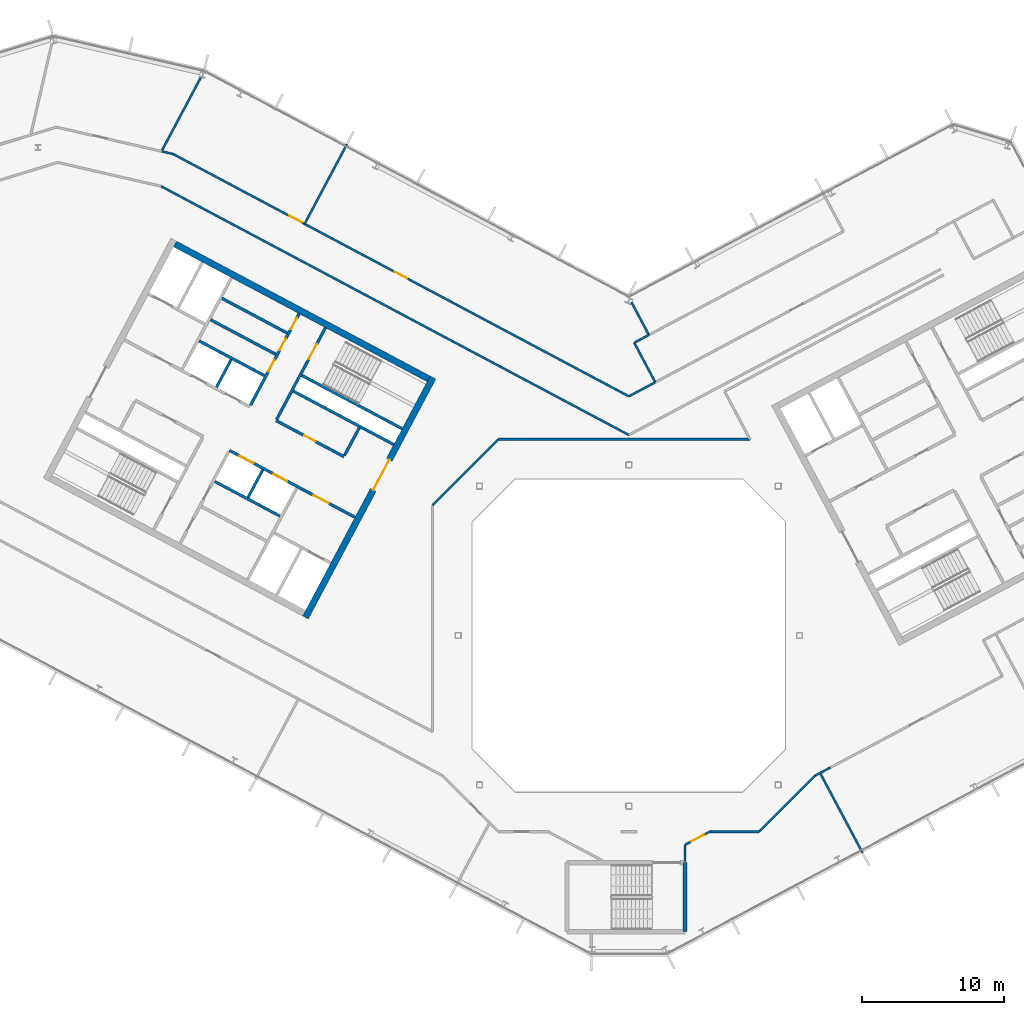
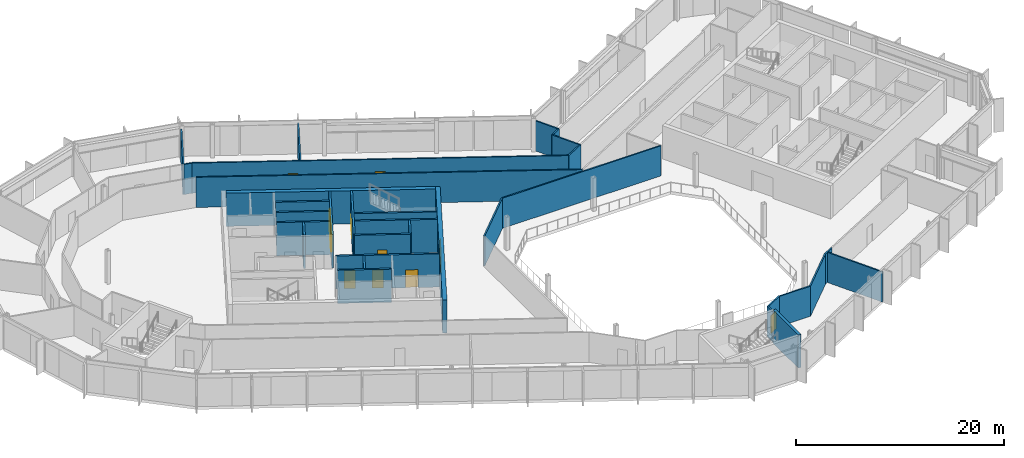
# One storey, part 15 of 26: 33 walls, 12 doors, 12 openings.
"""IFC4 building model written with IfcOpenShell, lengths in metres."""

import ifcopenshell
import ifcopenshell.guid

model = None  # the IFC model being written
_history = None  # IfcOwnerHistory: only IFC2X3 demands one
_inside = {}  # id of a spatial element -> (the spatial element, [elements in it])
_under = {}  # id of a project, library or spatial element -> (it, [spatial elements below it])
_declared = {}  # id of a project -> (the project, [libraries it declares])
_typed = {}  # id of a type object -> (the type object, [elements of that type])
_made_of = {}  # id of a material, layer set ... -> (it, [elements and type objects made of it])


def new_model(schema):
    """Start an empty IFC model of exactly this schema.

    Asked for "IFC4X3", IfcOpenShell would pick the latest addendum, in which some entities
    have other attributes; the version numbers below select the first issue.
    IFC2X3 requires an IfcOwnerHistory on every rooted entity: one is made here for all.
    """
    global model, _history
    if schema == "IFC4X3":
        model = ifcopenshell.file(schema_version=(4, 3, 0, 0))
    else:
        model = ifcopenshell.file(schema=schema)
    _inside.clear()
    _under.clear()
    _declared.clear()
    _typed.clear()
    _made_of.clear()
    _history = None
    if model.schema == "IFC2X3":
        org = make("IfcOrganization", Name="unknown")
        user = make(
            "IfcPersonAndOrganization",
            ThePerson=make("IfcPerson", FamilyName="unknown"),
            TheOrganization=org,
        )
        app = make(
            "IfcApplication",
            ApplicationDeveloper=org,
            Version="unknown",
            ApplicationFullName="unknown",
            ApplicationIdentifier="unknown",
        )
        _history = make(
            "IfcOwnerHistory",
            OwningUser=user,
            OwningApplication=app,
            ChangeAction="ADDED",
            CreationDate=0,
        )
    return model


def make(cls, **values):
    """One entity of the class cls with the attributes given. An attribute that is None is left unset."""
    return model.create_entity(
        cls, **{name: value for name, value in values.items() if value is not None}
    )


def rooted(cls, **values):
    """An entity with a GlobalId (a new one), such as an element, a storey or a relation."""
    return make(cls, GlobalId=ifcopenshell.guid.new(), OwnerHistory=_history, **values)


def si_unit(unit_type, name, prefix=None):
    """IfcSIUnit, for example si_unit("LENGTHUNIT", "METRE", prefix="MILLI")."""
    return make("IfcSIUnit", UnitType=unit_type, Prefix=prefix, Name=name)


def assignment(units):
    """IfcUnitAssignment: the units of a project."""
    return None if units is None else make("IfcUnitAssignment", Units=units)


def point(xyz):
    """IfcCartesianPoint."""
    return None if xyz is None else make("IfcCartesianPoint", Coordinates=xyz)


def direction(xyz):
    """IfcDirection."""
    return None if xyz is None else make("IfcDirection", DirectionRatios=xyz)


def frame(location, z_axis=None, x_axis=None):
    """IfcAxis2Placement3D, a coordinate frame: its origin and axes. An axis left out is left unset."""
    return make(
        "IfcAxis2Placement3D",
        Location=point(location),
        Axis=direction(z_axis),
        RefDirection=direction(x_axis),
    )


def frame_2d(location, x_axis=None):
    """IfcAxis2Placement2D, a coordinate frame in the plane: its origin and x axis."""
    return make(
        "IfcAxis2Placement2D", Location=point(location), RefDirection=direction(x_axis)
    )


def origin():
    """The frame at (0, 0, 0) with its axes left unset."""
    return frame((0.0, 0.0, 0.0))


def place(relative_to, where):
    """IfcLocalPlacement: puts the frame where relative to a parent placement (None: the world)."""
    return make(
        "IfcLocalPlacement", PlacementRelTo=relative_to, RelativePlacement=where
    )


def context(
    kind, dimensions, precision=None, world=None, true_north=None, identifier=None
):
    """IfcGeometricRepresentationContext, for example the 3D "Model" context."""
    return make(
        "IfcGeometricRepresentationContext",
        ContextIdentifier=identifier,
        ContextType=kind,
        CoordinateSpaceDimension=dimensions,
        Precision=precision,
        WorldCoordinateSystem=world,
        TrueNorth=true_north,
    )


def subcontext(parent, identifier, kind, view, scale=None):
    """IfcGeometricRepresentationSubContext, for example "Body" below "Model"."""
    return make(
        "IfcGeometricRepresentationSubContext",
        ContextIdentifier=identifier,
        ContextType=kind,
        ParentContext=parent,
        TargetScale=scale,
        TargetView=view,
    )


def project(units=None, contexts=None):
    """IfcProject with its units and contexts."""
    return rooted(
        "IfcProject",
        Name="project",
        RepresentationContexts=contexts,
        UnitsInContext=assignment(units),
    )


def spatial(cls, under=None, at=None, **own):
    """A site, building, storey or space (cls), placed at a placement, below another one or the project."""
    s = rooted(cls, ObjectPlacement=at, **own)
    if under is not None:
        _under.setdefault(under.id(), (under, []))[1].append(s)
    return s


def profile(cls, at=None, kind="AREA", **sizes):
    """A parametric profile (cls). Its sizes go by their IFC names, for example OverallWidth=200.0."""
    return make(cls, ProfileType=kind, Position=at, **sizes)


def rectangle(**sizes):
    """IfcRectangleProfileDef."""
    return profile("IfcRectangleProfileDef", **sizes)


def extrude(swept, where, along, depth):
    """IfcExtrudedAreaSolid: the profile swept, set in the frame where, extruded along a direction by depth."""
    return make(
        "IfcExtrudedAreaSolid",
        SweptArea=swept,
        Position=where,
        ExtrudedDirection=direction(along),
        Depth=depth,
    )


def shape(context_of_items, identifier, shape_type, items):
    """IfcShapeRepresentation: the items that make up one representation, for example the "Body"."""
    return make(
        "IfcShapeRepresentation",
        ContextOfItems=context_of_items,
        RepresentationIdentifier=identifier,
        RepresentationType=shape_type,
        Items=items,
    )


def material(Name=None, Category=None):
    """IfcMaterial."""
    return make("IfcMaterial", Name=Name, Category=Category)


def layer(
    of_material, thickness, ventilated=None, Name=None, Category=None, Priority=None
):
    """IfcMaterialLayer: one layer of a wall or slab, of a material (None: an air gap)."""
    return make(
        "IfcMaterialLayer",
        Material=of_material,
        LayerThickness=thickness,
        IsVentilated=ventilated,
        Name=Name,
        Category=Category,
        Priority=Priority,
    )


def layer_set(layers, Name=None):
    """IfcMaterialLayerSet."""
    return make("IfcMaterialLayerSet", MaterialLayers=layers, LayerSetName=Name)


def made_of(thing, what):
    """Note that an element or type object is made of a material, layer set ...; save() writes the relation."""
    if what is not None:
        _made_of.setdefault(what.id(), (what, []))[1].append(thing)
    return thing


def type_object(cls, material=None, **own):
    """A type object (cls), such as IfcWallType, which elements share."""
    return made_of(rooted(cls, **own), material)


def element(
    cls,
    number,
    at=None,
    inside=None,
    cuts=None,
    type_object=None,
    material=None,
    context=None,
    identifier="Body",
    shape_type=None,
    held_by="IfcProductDefinitionShape",
    body=None,
    shapes=None,
    **own,
):
    """One element of the class cls, such as IfcWall. Its Tag is "e" and its number.

    at: its placement. inside: the storey or other place that contains it. cuts: it is an
    opening in that element (IfcRelVoidsElement). A single representation is given by context,
    identifier, shape_type and body (its items); several are given by shapes. held_by: the class
    of the entity that holds the representations. save() writes the other relations.
    """
    e = rooted(cls, Tag="e%d" % number, ObjectPlacement=at, **own)
    if body is not None:
        shapes = [shape(context, identifier, shape_type, body)]
    if shapes is not None:
        e.Representation = make(held_by, Representations=shapes)
    if inside is not None:
        _inside.setdefault(inside.id(), (inside, []))[1].append(e)
    if cuts is not None:
        rooted(
            "IfcRelVoidsElement", RelatingBuildingElement=cuts, RelatedOpeningElement=e
        )
    if type_object is not None:
        _typed.setdefault(type_object.id(), (type_object, []))[1].append(e)
    return made_of(e, material)


def fill(opening, filler):
    """IfcRelFillsElement: the door or window that sits in an opening."""
    return rooted(
        "IfcRelFillsElement",
        RelatingOpeningElement=opening,
        RelatedBuildingElement=filler,
    )


def aggregate(whole, parts):
    """IfcRelAggregates: a whole, such as a stair, and the parts it consists of."""
    return rooted("IfcRelAggregates", RelatingObject=whole, RelatedObjects=parts)


def save(model, path):
    """Write the relations noted so far, then the file.

    IfcRelAggregates (storeys below a building ...), IfcRelContainedInSpatialStructure (elements
    in a storey), IfcRelDefinesByType, IfcRelAssociatesMaterial and IfcRelDeclares: one each for
    every whole, place, type object, material and project.
    """
    for whole, parts in _under.values():
        aggregate(whole, parts)
    for where, things in _inside.values():
        rooted(
            "IfcRelContainedInSpatialStructure",
            RelatedElements=things,
            RelatingStructure=where,
        )
    for kind, things in _typed.values():
        rooted("IfcRelDefinesByType", RelatedObjects=things, RelatingType=kind)
    for what, things in _made_of.values():
        rooted("IfcRelAssociatesMaterial", RelatedObjects=things, RelatingMaterial=what)
    for by, libraries in _declared.values():
        rooted("IfcRelDeclares", RelatingContext=by, RelatedDefinitions=libraries)
    model.write(path)


model = new_model("IFC4")

# Units and contexts
model_context = context("Model", 3, precision=1e-05, world=origin(), true_north=direction((0.0, 1.0)))
body_context = subcontext(model_context, "Body", "Model", "MODEL_VIEW")
ifc_project = project(units=[si_unit("LENGTHUNIT", "METRE"), si_unit("AREAUNIT", "SQUARE_METRE"), si_unit("VOLUMEUNIT", "CUBIC_METRE"), si_unit("PLANEANGLEUNIT", "RADIAN"), si_unit("MASSUNIT", "GRAM", prefix="KILO")], contexts=[model_context])

# Site, building, storey
site_placement = place(None, origin())
site = spatial("IfcSite", under=ifc_project, at=site_placement, CompositionType="ELEMENT")
building_placement = place(site_placement, origin())
building = spatial("IfcBuilding", under=site, at=building_placement, Name="Cormorant Relay Tower", CompositionType="ELEMENT")
storey_placement = place(building_placement, frame((0.0, 0.0, 293.10009765625)))
storey = spatial("IfcBuildingStorey", under=building, at=storey_placement, Name="L66", CompositionType="ELEMENT", Elevation=293.10009765625)

# Walls
ifc_material_1 = material(Name="Concrete 40 MPa", Category="concrete")
ifc_layer_1 = layer(ifc_material_1, 0.199951171875)
ifc_layer_set_1 = layer_set([ifc_layer_1], Name="Core internal wall 200")
wall_type_1 = type_object("IfcWallType", Name="Core internal wall 200", PredefinedType="SOLIDWALL", material=ifc_layer_set_1)
wall_1_placement = place(storey_placement, frame((-25.744140625, 11.64990234375, 0.0), z_axis=(0.0, 0.0, 1.0), x_axis=(-0.469487830541, -0.882938942948, 0.0)))
element("IfcWall", 1, at=wall_1_placement, inside=storey, type_object=wall_type_1, Name="L66 core A shaft and room wall", PredefinedType="SOLIDWALL", context=body_context, shape_type="SweptSolid", body=[
    extrude(rectangle(XDim=2.2001953125, YDim=0.199951171875, at=frame_2d((1.10009765625, 0.0))), origin(), (0.0, 0.0, 1.0), 3.89990234375),
])
wall_2_placement = place(storey_placement, frame((-27.9658203125, 19.39990234375, 0.0), z_axis=(0.0, 0.0, 1.0), x_axis=(-0.4694473164, -0.882960484464, 0.0)))
element("IfcWall", 2, at=wall_2_placement, inside=storey, type_object=wall_type_1, Name="L66 core A shaft and room wall", PredefinedType="SOLIDWALL", context=body_context, shape_type="SweptSolid", body=[
    extrude(rectangle(XDim=2.199951171875, YDim=0.199951171875, at=frame_2d((1.10009765625, 0.0))), origin(), (0.0, 0.0, 1.0), 3.89990234375),
])
for number, where, z_axis, x_axis, name in (
    (3, (-24.02685546875, 21.26953125, 0.0), (0.0, 0.0, 1.0), (-0.882934506056, 0.469496174655, 0.0), "L66 core A shaft and room wall"),
    (4, (-24.824951171875, 19.7685546875, 0.0), (0.0, 0.0, 1.0), (-0.882934506056, 0.469496174655, 0.0), "L66 core A shaft and room wall"),
):
    element("IfcWall", number, at=place(storey_placement, frame(where, z_axis=z_axis, x_axis=x_axis)), inside=storey, type_object=wall_type_1, Name=name, PredefinedType="SOLIDWALL", context=body_context, shape_type="SweptSolid", body=[
        extrude(rectangle(XDim=5.199951171875, YDim=0.199951171875, at=frame_2d((2.60009765625, 0.0))), origin(), (0.0, 0.0, 1.0), 3.89990234375),
    ])
ifc_material_2 = material(Name="Concrete 50 MPa", Category="concrete")
ifc_layer_2 = layer(ifc_material_2, 0.199951171875)
ifc_layer_set_2 = layer_set([ifc_layer_2], Name="Core shaft wall 200")
wall_type_2 = type_object("IfcWallType", Name="Core shaft wall 200", PredefinedType="SHEAR", material=ifc_layer_set_2)
wall_3_placement = place(storey_placement, frame((-18.959716796875, 14.611328125, 0.0), z_axis=(0.0, 0.0, 1.0), x_axis=(-0.4694473164, -0.882960484464, 0.0)))
element("IfcWall", 5, at=wall_3_placement, inside=storey, type_object=wall_type_2, Name="L66 core A shaft wall", PredefinedType="SHEAR", context=body_context, shape_type="SweptSolid", body=[
    extrude(rectangle(XDim=2.199951171875, YDim=0.199951171875, at=frame_2d((1.10009765625, 0.0))), origin(), (0.0, 0.0, 1.0), 3.89990234375),
])

# Wall, opening, door
wall_4_placement = place(storey_placement, frame((-21.333251953125, 21.6494140625, 0.0), z_axis=(0.0, 0.0, 1.0), x_axis=(-0.469494272526, -0.882935517501, 0.0)))
wall_4 = element("IfcWall", 6, at=wall_4_placement, inside=storey, type_object=wall_type_2, Name="L66 core A shaft wall", PredefinedType="SHEAR", context=body_context, shape_type="SweptSolid", body=[
    extrude(rectangle(XDim=7.2998046875, YDim=0.199951171875, at=frame_2d((3.64990234375, 0.0))), origin(), (0.0, 0.0, 1.0), 3.89990234375),
])
opening_1_placement = place(wall_4_placement, frame((1.300048828125, 0.0, 0.0)))
opening_1 = element("IfcOpeningElement", 7, at=opening_1_placement, cuts=wall_4, Name="Opening CDB-038", PredefinedType="OPENING", context=body_context, shape_type="SweptSolid", body=[
    extrude(rectangle(XDim=1.199951171875, YDim=2.10009765625, at=frame_2d((0.60009765625, 1.050048828125))), frame((0.0, 0.10986328125, 0.0), z_axis=(0.0, -1.0, 0.0), x_axis=(1.0, 0.0, 0.0)), (0.0, 0.0, 1.0), 0.219970703125),
])
ifc_material_3 = material(Name="Steel fire door", Category="steel")
door_type_1 = type_object("IfcDoorType", Name="Core stair door 1200x2100", OperationType="SINGLE_SWING_LEFT", PredefinedType="DOOR", material=ifc_material_3)
door_1_placement = place(opening_1_placement, origin())
door_1 = element("IfcDoor", 8, at=door_1_placement, inside=storey, type_object=door_type_1, Name="Core stair door 1200x2100", OperationType="SINGLE_SWING_RIGHT", OverallHeight=2.10009765625, OverallWidth=1.199951171875, PredefinedType="DOOR", context=body_context, shape_type="SweptSolid", body=[
    extrude(rectangle(XDim=1.199951171875, YDim=2.10009765625, at=frame_2d((0.60009765625, 1.050048828125))), frame((0.0, 0.02490234375, 0.0), z_axis=(0.0, -1.0, 0.0), x_axis=(1.0, 0.0, 0.0)), (0.0, 0.0, 1.0), 0.050048828125),
])
fill(opening_1, door_1)

# Wall, openings, doors
wall_5_placement = place(storey_placement, frame((-23.1875, 22.635498046875, 0.0), z_axis=(0.0, 0.0, 1.0), x_axis=(-0.469454336211, -0.882956752176, 0.0)))
wall_5 = element("IfcWall", 9, at=wall_5_placement, inside=storey, type_object=wall_type_2, Name="L66 core A shaft wall", PredefinedType="SHEAR", context=body_context, shape_type="SweptSolid", body=[
    extrude(rectangle(XDim=7.300048828125, YDim=0.199951171875, at=frame_2d((3.64990234375, 0.0))), origin(), (0.0, 0.0, 1.0), 3.89990234375),
])
opening_2_placement = place(wall_5_placement, frame((0.35009765625, 0.0, 0.0)))
opening_2 = element("IfcOpeningElement", 10, at=opening_2_placement, cuts=wall_5, Name="Opening CDD-329", PredefinedType="OPENING", context=body_context, shape_type="SweptSolid", body=[
    extrude(rectangle(XDim=0.89990234375, YDim=2.10009765625, at=frame_2d((0.449951171875, 1.050048828125))), frame((0.0, 0.10986328125, 0.0), z_axis=(0.0, -1.0, 0.0), x_axis=(1.0, 0.0, 0.0)), (0.0, 0.0, 1.0), 0.219970703125),
])
opening_3_placement = place(wall_5_placement, frame((2.0, 0.0, 0.0)))
opening_3 = element("IfcOpeningElement", 11, at=opening_3_placement, cuts=wall_5, Name="Opening CDD-330", PredefinedType="OPENING", context=body_context, shape_type="SweptSolid", body=[
    extrude(rectangle(XDim=0.89990234375, YDim=2.10009765625, at=frame_2d((0.449951171875, 1.050048828125))), frame((0.0, 0.10986328125, 0.0), z_axis=(0.0, -1.0, 0.0), x_axis=(1.0, 0.0, 0.0)), (0.0, 0.0, 1.0), 0.219970703125),
])
opening_4_placement = place(wall_5_placement, frame((3.699951171875, 0.0, 0.0)))
opening_4 = element("IfcOpeningElement", 12, at=opening_4_placement, cuts=wall_5, Name="Opening CDD-331", PredefinedType="OPENING", context=body_context, shape_type="SweptSolid", body=[
    extrude(rectangle(XDim=0.89990234375, YDim=2.10009765625, at=frame_2d((0.449951171875, 1.050048828125))), frame((0.0, 0.10986328125, 0.0), z_axis=(0.0, -1.0, 0.0), x_axis=(1.0, 0.0, 0.0)), (0.0, 0.0, 1.0), 0.219970703125),
])
ifc_material_4 = material(Name="Steel fire door", Category="steel")
door_type_2 = type_object("IfcDoorType", Name="Core room door 900x2100", OperationType="SINGLE_SWING_LEFT", PredefinedType="DOOR", material=ifc_material_4)
door_2_placement = place(opening_2_placement, origin())
door_2 = element("IfcDoor", 13, at=door_2_placement, inside=storey, type_object=door_type_2, Name="Core room door 900x2100", OperationType="SINGLE_SWING_LEFT", OverallHeight=2.10009765625, OverallWidth=0.89990234375, PredefinedType="DOOR", context=body_context, shape_type="SweptSolid", body=[
    extrude(rectangle(XDim=0.89990234375, YDim=2.10009765625, at=frame_2d((0.449951171875, 1.050048828125))), frame((0.0, 0.02490234375, 0.0), z_axis=(0.0, -1.0, 0.0), x_axis=(1.0, 0.0, 0.0)), (0.0, 0.0, 1.0), 0.050048828125),
])
fill(opening_2, door_2)
door_3_placement = place(opening_3_placement, origin())
door_3 = element("IfcDoor", 14, at=door_3_placement, inside=storey, type_object=door_type_2, Name="Core room door 900x2100", OperationType="SINGLE_SWING_LEFT", OverallHeight=2.10009765625, OverallWidth=0.89990234375, PredefinedType="DOOR", context=body_context, shape_type="SweptSolid", body=[
    extrude(rectangle(XDim=0.89990234375, YDim=2.10009765625, at=frame_2d((0.449951171875, 1.050048828125))), frame((0.0, 0.02490234375, 0.0), z_axis=(0.0, -1.0, 0.0), x_axis=(1.0, 0.0, 0.0)), (0.0, 0.0, 1.0), 0.050048828125),
])
fill(opening_3, door_3)
door_4_placement = place(opening_4_placement, origin())
door_4 = element("IfcDoor", 15, at=door_4_placement, inside=storey, type_object=door_type_2, Name="Core room door 900x2100", OperationType="SINGLE_SWING_LEFT", OverallHeight=2.10009765625, OverallWidth=0.89990234375, PredefinedType="DOOR", context=body_context, shape_type="SweptSolid", body=[
    extrude(rectangle(XDim=0.89990234375, YDim=2.10009765625, at=frame_2d((0.449951171875, 1.050048828125))), frame((0.0, 0.02490234375, 0.0), z_axis=(0.0, -1.0, 0.0), x_axis=(1.0, 0.0, 0.0)), (0.0, 0.0, 1.0), 0.050048828125),
])
fill(opening_4, door_4)

# Walls
wall_6_placement = place(storey_placement, frame((-15.94189453125, 14.53564453125, 0.0), z_axis=(0.0, 0.0, 1.0), x_axis=(-0.882946947542, 0.469472776449, 0.0)))
element("IfcWall", 16, at=wall_6_placement, inside=storey, type_object=wall_type_2, Name="L66 core A shaft wall", PredefinedType="SHEAR", context=body_context, shape_type="SweptSolid", body=[
    extrude(rectangle(XDim=8.000244140625, YDim=0.199951171875, at=frame_2d((4.0, 0.0))), origin(), (0.0, 0.0, 1.0), 3.89990234375),
])
wall_7_placement = place(storey_placement, frame((-16.52880859375, 13.43212890625, 0.0), z_axis=(0.0, 0.0, 1.0), x_axis=(-0.88295287151, 0.469461634952, 0.0)))
element("IfcWall", 17, at=wall_7_placement, inside=storey, type_object=wall_type_2, Name="L66 core A shaft wall", PredefinedType="SHEAR", context=body_context, shape_type="SweptSolid", body=[
    extrude(rectangle(XDim=7.999755859375, YDim=0.199951171875, at=frame_2d((4.0, 0.0))), origin(), (0.0, 0.0, 1.0), 3.89990234375),
])
wall_8_placement = place(storey_placement, frame((-25.623046875, 18.267578125, 0.0), z_axis=(0.0, 0.0, 1.0), x_axis=(-0.882953967957, 0.469459572775, 0.0)))
element("IfcWall", 18, at=wall_8_placement, inside=storey, type_object=wall_type_2, Name="L66 core A shaft wall", PredefinedType="SHEAR", context=body_context, shape_type="SweptSolid", body=[
    extrude(rectangle(XDim=5.199951171875, YDim=0.199951171875, at=frame_2d((2.60009765625, 0.0))), origin(), (0.0, 0.0, 1.0), 3.89990234375),
])

# Wall, opening, door
wall_9_placement = place(storey_placement, frame((-20.03955078125, 12.58056640625, 0.0), z_axis=(0.0, 0.0, 1.0), x_axis=(-0.882942972946, 0.469480251476, 0.0)))
wall_9 = element("IfcWall", 19, at=wall_9_placement, inside=storey, type_object=wall_type_2, Name="L66 core A shaft wall", PredefinedType="SHEAR", context=body_context, shape_type="SweptSolid", body=[
    extrude(rectangle(XDim=5.39990234375, YDim=0.199951171875, at=frame_2d((2.699951171875, 0.0))), origin(), (0.0, 0.0, 1.0), 3.89990234375),
])
opening_5_placement = place(wall_9_placement, frame((2.25, 0.0, 0.0)))
opening_5 = element("IfcOpeningElement", 20, at=opening_5_placement, cuts=wall_9, Name="Opening CDD-319", PredefinedType="OPENING", context=body_context, shape_type="SweptSolid", body=[
    extrude(rectangle(XDim=0.89990234375, YDim=2.10009765625, at=frame_2d((0.449951171875, 1.050048828125))), frame((0.0, 0.10986328125, 0.0), z_axis=(0.0, -1.0, 0.0), x_axis=(1.0, 0.0, 0.0)), (0.0, 0.0, 1.0), 0.219970703125),
])
door_5_placement = place(opening_5_placement, origin())
door_5 = element("IfcDoor", 21, at=door_5_placement, inside=storey, type_object=door_type_2, Name="Core room door 900x2100", OperationType="SINGLE_SWING_LEFT", OverallHeight=2.10009765625, OverallWidth=0.89990234375, PredefinedType="DOOR", context=body_context, shape_type="SweptSolid", body=[
    extrude(rectangle(XDim=0.89990234375, YDim=2.10009765625, at=frame_2d((0.449951171875, 1.050048828125))), frame((0.0, 0.02490234375, 0.0), z_axis=(0.0, -1.0, 0.0), x_axis=(1.0, 0.0, 0.0)), (0.0, 0.0, 1.0), 0.050048828125),
])
fill(opening_5, door_5)

# Wall, openings, doors
wall_10_placement = place(storey_placement, frame((-19.251708984375, 8.31103515625, 0.0), z_axis=(0.0, 0.0, 1.0), x_axis=(-0.882955722218, 0.469456273365, 0.0)))
wall_10 = element("IfcWall", 22, at=wall_10_placement, inside=storey, type_object=wall_type_2, Name="L66 core A shaft wall", PredefinedType="SHEAR", context=body_context, shape_type="SweptSolid", body=[
    extrude(rectangle(XDim=10.0, YDim=0.199951171875, at=frame_2d((5.0, 0.0))), origin(), (0.0, 0.0, 1.0), 3.89990234375),
])
opening_6_placement = place(wall_10_placement, frame((2.10009765625, 0.0, 0.0)))
opening_6 = element("IfcOpeningElement", 23, at=opening_6_placement, cuts=wall_10, Name="Opening CDC-033", PredefinedType="OPENING", context=body_context, shape_type="SweptSolid", body=[
    extrude(rectangle(XDim=1.199951171875, YDim=2.10009765625, at=frame_2d((0.60009765625, 1.050048828125))), frame((0.0, 0.10986328125, 0.0), z_axis=(0.0, -1.0, 0.0), x_axis=(1.0, 0.0, 0.0)), (0.0, 0.0, 1.0), 0.219970703125),
])
opening_7_placement = place(wall_10_placement, frame((5.39990234375, 0.0, 0.0)))
opening_7 = element("IfcOpeningElement", 24, at=opening_7_placement, cuts=wall_10, Name="Opening LD1-065", PredefinedType="OPENING", context=body_context, shape_type="SweptSolid", body=[
    extrude(rectangle(XDim=1.10009765625, YDim=2.10009765625, at=frame_2d((0.550048828125, 1.050048828125))), frame((0.0, 0.10986328125, 0.0), z_axis=(0.0, -1.0, 0.0), x_axis=(1.0, 0.0, 0.0)), (0.0, 0.0, 1.0), 0.219970703125),
])
opening_8_placement = place(wall_10_placement, frame((8.10009765625, 0.0, 0.0)))
opening_8 = element("IfcOpeningElement", 25, at=opening_8_placement, cuts=wall_10, Name="Opening LD1-066", PredefinedType="OPENING", context=body_context, shape_type="SweptSolid", body=[
    extrude(rectangle(XDim=1.10009765625, YDim=2.10009765625, at=frame_2d((0.550048828125, 1.050048828125))), frame((0.0, 0.10986328125, 0.0), z_axis=(0.0, -1.0, 0.0), x_axis=(1.0, 0.0, 0.0)), (0.0, 0.0, 1.0), 0.219970703125),
])
ifc_material_5 = material(Name="Steel fire door", Category="steel")
door_type_3 = type_object("IfcDoorType", Name="Core lobby door 1200x2100", OperationType="SINGLE_SWING_LEFT", PredefinedType="DOOR", material=ifc_material_5)
door_6_placement = place(opening_6_placement, origin())
door_6 = element("IfcDoor", 26, at=door_6_placement, inside=storey, type_object=door_type_3, Name="Core lobby door 1200x2100", OperationType="SINGLE_SWING_RIGHT", OverallHeight=2.10009765625, OverallWidth=1.199951171875, PredefinedType="DOOR", context=body_context, shape_type="SweptSolid", body=[
    extrude(rectangle(XDim=1.199951171875, YDim=2.10009765625, at=frame_2d((0.60009765625, 1.050048828125))), frame((0.0, 0.02490234375, 0.0), z_axis=(0.0, -1.0, 0.0), x_axis=(1.0, 0.0, 0.0)), (0.0, 0.0, 1.0), 0.050048828125),
])
fill(opening_6, door_6)
ifc_material_6 = material(Name="Stainless steel 316", Category="steel")
door_type_4 = type_object("IfcDoorType", Name="Lift landing door 1100x2100", OperationType="DOUBLE_DOOR_SLIDING", PredefinedType="DOOR", material=ifc_material_6)
door_7_placement = place(opening_7_placement, origin())
door_7 = element("IfcDoor", 27, at=door_7_placement, inside=storey, type_object=door_type_4, Name="HR1 landing door", OperationType="DOUBLE_DOOR_SLIDING", OverallHeight=2.10009765625, OverallWidth=1.10009765625, PredefinedType="DOOR", context=body_context, shape_type="SweptSolid", body=[
    extrude(rectangle(XDim=1.10009765625, YDim=2.10009765625, at=frame_2d((0.550048828125, 1.050048828125))), frame((0.0, 0.02490234375, 0.0), z_axis=(0.0, -1.0, 0.0), x_axis=(1.0, 0.0, 0.0)), (0.0, 0.0, 1.0), 0.050048828125),
])
fill(opening_7, door_7)
door_8_placement = place(opening_8_placement, origin())
door_8 = element("IfcDoor", 28, at=door_8_placement, inside=storey, type_object=door_type_4, Name="HR2 landing door", OperationType="DOUBLE_DOOR_SLIDING", OverallHeight=2.10009765625, OverallWidth=1.10009765625, PredefinedType="DOOR", context=body_context, shape_type="SweptSolid", body=[
    extrude(rectangle(XDim=1.10009765625, YDim=2.10009765625, at=frame_2d((0.550048828125, 1.050048828125))), frame((0.0, 0.02490234375, 0.0), z_axis=(0.0, -1.0, 0.0), x_axis=(1.0, 0.0, 0.0)), (0.0, 0.0, 1.0), 0.050048828125),
])
fill(opening_8, door_8)

# Wall
wall_11_placement = place(storey_placement, frame((-24.5283203125, 8.3984375, 0.0), z_axis=(0.0, 0.0, 1.0), x_axis=(-0.882953967957, 0.469459572775, 0.0)))
element("IfcWall", 29, at=wall_11_placement, inside=storey, type_object=wall_type_2, Name="L66 core A shaft wall", PredefinedType="SHEAR", context=body_context, shape_type="SweptSolid", body=[
    extrude(rectangle(XDim=5.199951171875, YDim=0.199951171875, at=frame_2d((2.60009765625, 0.0))), origin(), (0.0, 0.0, 1.0), 3.89990234375),
])

# Wall, opening, door
ifc_material_7 = material(Name="Concrete 50 MPa", Category="concrete")
ifc_layer_3 = layer(ifc_material_7, 0.449951171875)
ifc_layer_set_3 = layer_set([ifc_layer_3], Name="Core wall 450")
wall_type_3 = type_object("IfcWallType", Name="Core wall 450", PredefinedType="SHEAR", material=ifc_layer_set_3)
wall_12_placement = place(storey_placement, frame((-13.771484375, 18.138427734375, 0.0), z_axis=(0.0, 0.0, 1.0), x_axis=(-0.469467968382, -0.882949504028, 0.0)))
wall_12 = element("IfcWall", 30, at=wall_12_placement, inside=storey, type_object=wall_type_3, Name="L66 core A wall", PredefinedType="SHEAR", context=body_context, shape_type="SweptSolid", body=[
    extrude(rectangle(XDim=19.099853515625, YDim=0.449951171875, at=frame_2d((9.5498046875, 0.0))), origin(), (0.0, 0.0, 1.0), 3.89990234375),
])
opening_9_placement = place(wall_12_placement, frame((6.550048828125, 0.0, 0.0)))
opening_9 = element("IfcOpeningElement", 31, at=opening_9_placement, cuts=wall_12, Name="Opening CDA-050", PredefinedType="OPENING", context=body_context, shape_type="SweptSolid", body=[
    extrude(rectangle(XDim=2.39990234375, YDim=2.39990234375, at=frame_2d((1.199951171875, 1.199951171875))), frame((0.0, 0.23486328125, 0.0), z_axis=(0.0, -1.0, 0.0), x_axis=(1.0, 0.0, 0.0)), (0.0, 0.0, 1.0), 0.469970703125),
])
ifc_material_8 = material(Name="Steel fire door", Category="steel")
door_type_5 = type_object("IfcDoorType", Name="Core lobby door 2400x2400", OperationType="DOUBLE_DOOR_SINGLE_SWING", PredefinedType="DOOR", material=ifc_material_8)
door_9_placement = place(opening_9_placement, origin())
door_9 = element("IfcDoor", 32, at=door_9_placement, inside=storey, type_object=door_type_5, Name="Core lobby door 2400x2400", OperationType="DOUBLE_DOOR_SINGLE_SWING", OverallHeight=2.39990234375, OverallWidth=2.39990234375, PredefinedType="DOOR", context=body_context, shape_type="SweptSolid", body=[
    extrude(rectangle(XDim=2.39990234375, YDim=2.39990234375, at=frame_2d((1.199951171875, 1.199951171875))), frame((0.0, 0.02490234375, 0.0), z_axis=(0.0, -1.0, 0.0), x_axis=(1.0, 0.0, 0.0)), (0.0, 0.0, 1.0), 0.050048828125),
])
fill(opening_9, door_9)

# Walls
wall_13_placement = place(storey_placement, frame((-14.07568359375, 18.04541015625, 0.0), z_axis=(0.0, 0.0, 1.0), x_axis=(-0.882947755831, 0.46947125628, 0.0)))
element("IfcWall", 33, at=wall_13_placement, inside=storey, type_object=wall_type_3, Name="L66 core A wall", PredefinedType="SHEAR", context=body_context, shape_type="SweptSolid", body=[
    extrude(rectangle(XDim=20.2001953125, YDim=0.449951171875, at=frame_2d((10.10009765625, 0.0))), origin(), (0.0, 0.0, 1.0), 3.89990234375),
])
ifc_material_9 = material(Name="Gypsum board fire partition")
ifc_layer_4 = layer(ifc_material_9, 0.14990234375)
ifc_layer_set_4 = layer_set([ifc_layer_4], Name="Corridor partition 150 EI 60")
wall_type_4 = type_object("IfcWallType", Name="Corridor partition 150 EI 60", PredefinedType="PARTITIONING", material=ifc_layer_set_4)
wall_14_placement = place(storey_placement, frame((-32.89404296875, 31.590087890625, 0.0), z_axis=(0.0, 0.0, 1.0), x_axis=(0.882948512555, -0.469469833085, 0.0)))
element("IfcWall", 34, at=wall_14_placement, inside=storey, type_object=wall_type_4, Name="wall/L66/part/023", PredefinedType="PARTITIONING", context=body_context, shape_type="SweptSolid", body=[
    extrude(rectangle(XDim=37.2548828125, YDim=0.14990234375, at=frame_2d((18.62744140625, 0.0))), origin(), (0.0, 0.0, 1.0), 3.539794921875),
])
wall_15_placement = place(storey_placement, frame((8.51806640625, 13.800048828125, 0.0), z_axis=(0.0, 0.0, 1.0), x_axis=(-1.0, 0.0, 0.0)))
element("IfcWall", 35, at=wall_15_placement, inside=storey, type_object=wall_type_4, Name="wall/L66/part/027", PredefinedType="PARTITIONING", context=body_context, shape_type="SweptSolid", body=[
    extrude(rectangle(XDim=17.677978515625, YDim=0.14990234375, at=frame_2d((8.8388671875, 0.0))), origin(), (0.0, 0.0, 1.0), 3.539794921875),
])
wall_16_placement = place(storey_placement, frame((-9.159912109375, 13.800048828125, 0.0), z_axis=(0.0, 0.0, 1.0), x_axis=(-0.707106781187, -0.707106781187, 0.0)))
element("IfcWall", 36, at=wall_16_placement, inside=storey, type_object=wall_type_4, Name="wall/L66/part/028", PredefinedType="PARTITIONING", context=body_context, shape_type="SweptSolid", body=[
    extrude(rectangle(XDim=6.562255859375, YDim=0.14990234375, at=frame_2d((3.28125, 0.0))), origin(), (0.0, 0.0, 1.0), 3.539794921875),
])
wall_17_placement = place(storey_placement, frame((-32.0458984375, 33.85791015625, 0.0), z_axis=(0.0, 0.0, 1.0), x_axis=(-0.97423893818, 0.225518272727, 0.0)))
element("IfcWall", 37, at=wall_17_placement, inside=storey, type_object=wall_type_4, Name="wall/L66/part/042", PredefinedType="PARTITIONING", context=body_context, shape_type="SweptSolid", body=[
    extrude(rectangle(XDim=0.81201171875, YDim=0.14990234375, at=frame_2d((0.406005859375, 0.0))), origin(), (0.0, 0.0, 1.0), 3.539794921875),
])

# Wall, openings, doors
wall_18_placement = place(storey_placement, frame((-32.0458984375, 33.85791015625, 0.0), z_axis=(0.0, 0.0, 1.0), x_axis=(0.882950883098, -0.469465374694, 0.0)))
wall_18 = element("IfcWall", 38, at=wall_18_placement, inside=storey, type_object=wall_type_4, Name="wall/L66/part/043", PredefinedType="PARTITIONING", context=body_context, shape_type="SweptSolid", body=[
    extrude(rectangle(XDim=36.294189453125, YDim=0.14990234375, at=frame_2d((18.14697265625, 0.0))), origin(), (0.0, 0.0, 1.0), 3.539794921875),
])
opening_10_placement = place(wall_18_placement, frame((17.64990234375, 0.0, 0.0)))
opening_10 = element("IfcOpeningElement", 39, at=opening_10_placement, cuts=wall_18, Name="Opening DS-221", PredefinedType="OPENING", context=body_context, shape_type="SweptSolid", body=[
    extrude(rectangle(XDim=1.0, YDim=2.10009765625, at=frame_2d((0.5, 1.050048828125))), frame((0.0, 0.0849609375, 0.0), z_axis=(0.0, -1.0, 0.0), x_axis=(1.0, 0.0, 0.0)), (0.0, 0.0, 1.0), 0.169921875),
])
opening_11_placement = place(wall_18_placement, frame((9.25, 0.0, 0.0)))
opening_11 = element("IfcOpeningElement", 40, at=opening_11_placement, cuts=wall_18, Name="Opening DS-222", PredefinedType="OPENING", context=body_context, shape_type="SweptSolid", body=[
    extrude(rectangle(XDim=1.0, YDim=2.10009765625, at=frame_2d((0.5, 1.050048828125))), frame((0.0, 0.0849609375, 0.0), z_axis=(0.0, -1.0, 0.0), x_axis=(1.0, 0.0, 0.0)), (0.0, 0.0, 1.0), 0.169921875),
])
ifc_material_10 = material(Name="Timber door leaf", Category="wood")
door_type_6 = type_object("IfcDoorType", Name="Suite door 1000x2100", OperationType="SINGLE_SWING_LEFT", PredefinedType="DOOR", material=ifc_material_10)
door_10_placement = place(opening_10_placement, origin())
door_10 = element("IfcDoor", 41, at=door_10_placement, inside=storey, type_object=door_type_6, Name="door/L66/006", OperationType="SINGLE_SWING_RIGHT", OverallHeight=2.10009765625, OverallWidth=1.0, PredefinedType="DOOR", context=body_context, shape_type="SweptSolid", body=[
    extrude(rectangle(XDim=1.0, YDim=2.10009765625, at=frame_2d((0.5, 1.050048828125))), frame((0.0, 0.02490234375, 0.0), z_axis=(0.0, -1.0, 0.0), x_axis=(1.0, 0.0, 0.0)), (0.0, 0.0, 1.0), 0.050048828125),
])
fill(opening_10, door_10)
door_11_placement = place(opening_11_placement, origin())
door_11 = element("IfcDoor", 42, at=door_11_placement, inside=storey, type_object=door_type_6, Name="door/L66/007", OperationType="SINGLE_SWING_RIGHT", OverallHeight=2.10009765625, OverallWidth=1.0, PredefinedType="DOOR", context=body_context, shape_type="SweptSolid", body=[
    extrude(rectangle(XDim=1.0, YDim=2.10009765625, at=frame_2d((0.5, 1.050048828125))), frame((0.0, 0.02490234375, 0.0), z_axis=(0.0, -1.0, 0.0), x_axis=(1.0, 0.0, 0.0)), (0.0, 0.0, 1.0), 0.050048828125),
])
fill(opening_11, door_11)

# Wall
wall_19_placement = place(storey_placement, frame((0.0, 16.819091796875, 0.0), z_axis=(0.0, 0.0, 1.0), x_axis=(0.882886662494, 0.4695861382, 0.0)))
element("IfcWall", 43, at=wall_19_placement, inside=storey, type_object=wall_type_4, Name="wall/L66/part/044", PredefinedType="PARTITIONING", context=body_context, shape_type="SweptSolid", body=[
    extrude(rectangle(XDim=2.1123046875, YDim=0.14990234375, at=frame_2d((1.05615234375, 0.0))), origin(), (0.0, 0.0, 1.0), 3.539794921875),
])

# Wall, opening, door
wall_20_placement = place(storey_placement, frame((5.756103515625, -13.758056640625, 0.0), z_axis=(0.0, 0.0, 1.0), x_axis=(-0.883026069627, -0.469323939683, 0.0)))
wall_20 = element("IfcWall", 44, at=wall_20_placement, inside=storey, type_object=wall_type_4, Name="wall/L66/part/057", PredefinedType="PARTITIONING", context=body_context, shape_type="SweptSolid", body=[
    extrude(rectangle(XDim=2.04541015625, YDim=0.14990234375, at=frame_2d((1.022705078125, 0.0))), origin(), (0.0, 0.0, 1.0), 3.539794921875),
])
opening_12_placement = place(wall_20_placement, frame((0.5400390625, 0.0, 0.0)))
opening_12 = element("IfcOpeningElement", 45, at=opening_12_placement, cuts=wall_20, Name="Opening DS-217", PredefinedType="OPENING", context=body_context, shape_type="SweptSolid", body=[
    extrude(rectangle(XDim=1.0, YDim=2.10009765625, at=frame_2d((0.5, 1.050048828125))), frame((0.0, 0.0849609375, 0.0), z_axis=(0.0, -1.0, 0.0), x_axis=(1.0, 0.0, 0.0)), (0.0, 0.0, 1.0), 0.169921875),
])
door_12_placement = place(opening_12_placement, origin())
door_12 = element("IfcDoor", 46, at=door_12_placement, inside=storey, type_object=door_type_6, Name="door/L66/002", OperationType="SINGLE_SWING_RIGHT", OverallHeight=2.10009765625, OverallWidth=1.0, PredefinedType="DOOR", context=body_context, shape_type="SweptSolid", body=[
    extrude(rectangle(XDim=1.0, YDim=2.10009765625, at=frame_2d((0.5, 1.050048828125))), frame((0.0, 0.02490234375, 0.0), z_axis=(0.0, -1.0, 0.0), x_axis=(1.0, 0.0, 0.0)), (0.0, 0.0, 1.0), 0.050048828125),
])
fill(opening_12, door_12)

# Walls
wall_21_placement = place(storey_placement, frame((3.949951171875, -14.718017578125, 0.0), z_axis=(0.0, 0.0, 1.0), x_axis=(0.0, -1.0, 0.0)))
element("IfcWall", 47, at=wall_21_placement, inside=storey, type_object=wall_type_4, Name="wall/L66/part/058", PredefinedType="PARTITIONING", context=body_context, shape_type="SweptSolid", body=[
    extrude(rectangle(XDim=1.156982421875, YDim=0.14990234375, at=frame_2d((0.57861328125, 0.0))), origin(), (0.0, 0.0, 1.0), 3.539794921875),
])
wall_22_placement = place(storey_placement, frame((13.114013671875, -9.845947265625, 0.0), z_axis=(0.0, 0.0, 1.0), x_axis=(-0.707106781187, -0.707106781187, 0.0)))
element("IfcWall", 48, at=wall_22_placement, inside=storey, type_object=wall_type_4, Name="wall/L66/part/059", PredefinedType="PARTITIONING", context=body_context, shape_type="SweptSolid", body=[
    extrude(rectangle(XDim=5.592041015625, YDim=0.14990234375, at=frame_2d((2.7958984375, 0.0))), origin(), (0.0, 0.0, 1.0), 3.539794921875),
])
wall_23_placement = place(storey_placement, frame((9.159912109375, -13.800048828125, 0.0), z_axis=(0.0, 0.0, 1.0), x_axis=(-1.0, 0.0, 0.0)))
element("IfcWall", 49, at=wall_23_placement, inside=storey, type_object=wall_type_4, Name="wall/L66/part/060", PredefinedType="PARTITIONING", context=body_context, shape_type="SweptSolid", body=[
    extrude(rectangle(XDim=3.447998046875, YDim=0.14990234375, at=frame_2d((1.72412109375, 0.0))), origin(), (0.0, 0.0, 1.0), 3.539794921875),
])
wall_24_placement = place(storey_placement, frame((14.1708984375, -9.283935546875, 0.0), z_axis=(0.0, 0.0, 1.0), x_axis=(-0.88292815798, -0.469508112652, 0.0)))
element("IfcWall", 50, at=wall_24_placement, inside=storey, type_object=wall_type_4, Name="wall/L66/part/062", PredefinedType="PARTITIONING", context=body_context, shape_type="SweptSolid", body=[
    extrude(rectangle(XDim=1.197021484375, YDim=0.14990234375, at=frame_2d((0.5986328125, 0.0))), origin(), (0.0, 0.0, 1.0), 3.539794921875),
])
ifc_material_11 = material(Name="Concrete 50 MPa", Category="concrete")
ifc_layer_5 = layer(ifc_material_11, 0.300048828125)
ifc_layer_set_5 = layer_set([ifc_layer_5], Name="Remote stair wall 300")
wall_type_5 = type_object("IfcWallType", Name="Remote stair wall 300", PredefinedType="SHEAR", material=ifc_layer_set_5)
wall_25_placement = place(storey_placement, frame((3.949951171875, -15.97509765625, 0.0), z_axis=(0.0, 0.0, 1.0), x_axis=(0.0, -1.0, 0.0)))
element("IfcWall", 51, at=wall_25_placement, inside=storey, type_object=wall_type_5, Name="L66 exit stair RK1 wall", PredefinedType="SHEAR", context=body_context, shape_type="SweptSolid", body=[
    extrude(rectangle(XDim=4.849853515625, YDim=0.300048828125, at=frame_2d((2.4248046875, 0.0))), origin(), (0.0, 0.0, 1.0), 3.89990234375),
])
ifc_material_12 = material(Name="Gypsum board partition")
ifc_layer_6 = layer(ifc_material_12, 0.14990234375)
ifc_layer_set_6 = layer_set([ifc_layer_6], Name="Tenant partition 150")
wall_type_6 = type_object("IfcWallType", Name="Tenant partition 150", PredefinedType="PARTITIONING", material=ifc_layer_set_6)
wall_26_placement = place(storey_placement, frame((-30.097900390625, 39.2470703125, 0.0), z_axis=(0.0, 0.0, 1.0), x_axis=(-0.469421875668, -0.882974010175, 0.0)))
element("IfcWall", 52, at=wall_26_placement, inside=storey, type_object=wall_type_6, Name="wall/L66/part/041", PredefinedType="PARTITIONING", context=body_context, shape_type="SweptSolid", body=[
    extrude(rectangle(XDim=5.890625, YDim=0.14990234375, at=frame_2d((2.9453125, 0.0))), origin(), (0.0, 0.0, 1.0), 3.539794921875),
])
wall_27_placement = place(storey_placement, frame((-19.822021484375, 34.550048828125, 0.0), z_axis=(0.0, 0.0, 1.0), x_axis=(-0.469434431685, -0.882967334814, 0.0)))
element("IfcWall", 53, at=wall_27_placement, inside=storey, type_object=wall_type_6, Name="wall/L66/part/045", PredefinedType="PARTITIONING", context=body_context, shape_type="SweptSolid", body=[
    extrude(rectangle(XDim=6.35009765625, YDim=0.14990234375, at=frame_2d((3.175048828125, 0.0))), origin(), (0.0, 0.0, 1.0), 3.539794921875),
])
wall_28_placement = place(storey_placement, frame((0.37890625, 20.5869140625, 0.0), z_axis=(0.0, 0.0, 1.0), x_axis=(0.469549985402, -0.882905890347, 0.0)))
element("IfcWall", 54, at=wall_28_placement, inside=storey, type_object=wall_type_6, Name="wall/L66/part/047", PredefinedType="PARTITIONING", context=body_context, shape_type="SweptSolid", body=[
    extrude(rectangle(XDim=3.14990234375, YDim=0.14990234375, at=frame_2d((1.574951171875, 0.0))), origin(), (0.0, 0.0, 1.0), 3.539794921875),
])
wall_29_placement = place(storey_placement, frame((0.177978515625, 23.449951171875, 0.0), z_axis=(0.0, 0.0, 1.0), x_axis=(0.469495603372, -0.882934809833, 0.0)))
element("IfcWall", 55, at=wall_29_placement, inside=storey, type_object=wall_type_6, Name="wall/L66/part/052", PredefinedType="PARTITIONING", context=body_context, shape_type="SweptSolid", body=[
    extrude(rectangle(XDim=2.621826171875, YDim=0.14990234375, at=frame_2d((1.31103515625, 0.0))), origin(), (0.0, 0.0, 1.0), 3.539794921875),
])
wall_30_placement = place(storey_placement, frame((1.406005859375, 21.134033203125, 0.0), z_axis=(0.0, 0.0, 1.0), x_axis=(-0.882590930183, -0.470141733905, 0.0)))
element("IfcWall", 56, at=wall_30_placement, inside=storey, type_object=wall_type_6, Name="wall/L66/part/053", PredefinedType="PARTITIONING", context=body_context, shape_type="SweptSolid", body=[
    extrude(rectangle(XDim=1.163818359375, YDim=0.14990234375, at=frame_2d((0.58203125, 0.0))), origin(), (0.0, 0.0, 1.0), 3.539794921875),
])
wall_31_placement = place(storey_placement, frame((13.447021484375, -9.6689453125, 0.0), z_axis=(0.0, 0.0, 1.0), x_axis=(0.4696180742, -0.882869675764, 0.0)))
element("IfcWall", 57, at=wall_31_placement, inside=storey, type_object=wall_type_6, Name="wall/L66/part/061", PredefinedType="PARTITIONING", context=body_context, shape_type="SweptSolid", body=[
    extrude(rectangle(XDim=6.349609375, YDim=0.14990234375, at=frame_2d((3.1748046875, 0.0))), origin(), (0.0, 0.0, 1.0), 3.539794921875),
])

save(model, "model.ifc")
